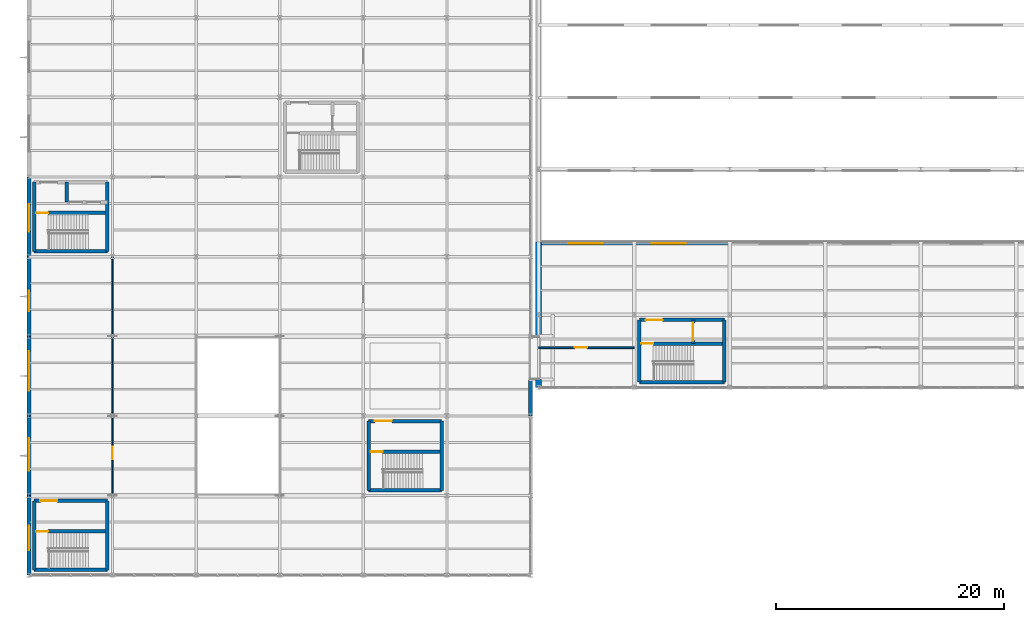
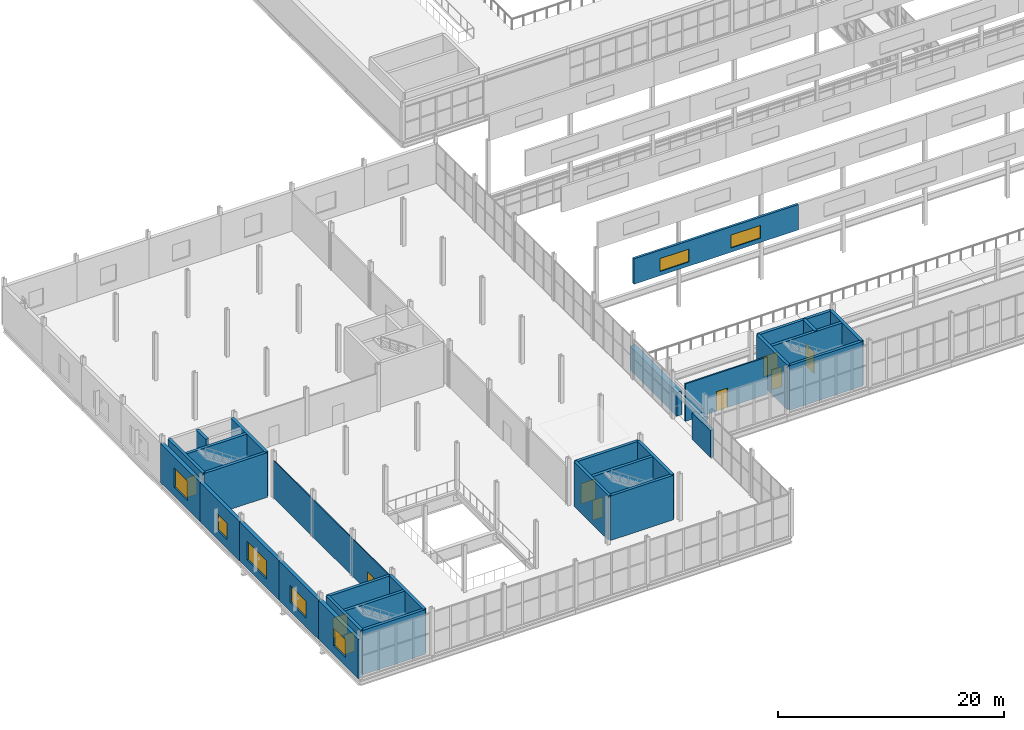
# One storey, part 197 of 218: 32 walls, 10 doors, 7 windows, 17 openings.
"""IFC4 building model written with IfcOpenShell, lengths in metres."""

from ifc_helpers import new_model, si_unit, direction, frame, frame_2d, origin, place, context, subcontext, project, spatial, rectangle, extrude, material, layer, layer_set, type_object, element, fill, save


model = new_model("IFC4")

# Units and contexts
model_context = context("Model", 3, precision=1e-05, world=origin(), true_north=direction((0.0, 1.0)))
body_context = subcontext(model_context, "Body", "Model", "MODEL_VIEW")
ifc_project = project(units=[si_unit("LENGTHUNIT", "METRE"), si_unit("AREAUNIT", "SQUARE_METRE"), si_unit("VOLUMEUNIT", "CUBIC_METRE"), si_unit("PLANEANGLEUNIT", "RADIAN"), si_unit("MASSUNIT", "GRAM", prefix="KILO")], contexts=[model_context])

# Site, building, storey
site_placement = place(None, origin())
site = spatial("IfcSite", under=ifc_project, at=site_placement, CompositionType="ELEMENT")
building_placement = place(site_placement, origin())
building = spatial("IfcBuilding", under=site, at=building_placement, Name="Kazenagashi Tramway Depot", CompositionType="ELEMENT")
storey_placement = place(building_placement, frame((0.0, 0.0, 6.0)))
storey = spatial("IfcBuildingStorey", under=building, at=storey_placement, Name="L02", CompositionType="ELEMENT", Elevation=6.0)

# Wall, opening, window
ifc_material_1 = material(Name="Clay Brick Masonry JIS R 1250 Class 1 (20 MPa)", Category="masonry")
ifc_layer_1 = layer(ifc_material_1, 0.36)
ifc_layer_set_1 = layer_set([ifc_layer_1], Name="Clay Brick Masonry JIS R 1250 Class 1 (20 MPa)")
wall_type_1 = type_object("IfcWallType", Name="W-BK2", PredefinedType="SOLIDWALL", material=ifc_layer_set_1)
wall_1_placement = place(storey_placement, frame((0.0, 0.0, 0.0), z_axis=(0.0, 0.0, 1.0), x_axis=(0.0, 1.0, 0.0)))
wall_1 = element("IfcWall", 1, at=wall_1_placement, inside=storey, type_object=wall_type_1, Name="Exterior Brick Wall W-BK2 EWALL-0200", PredefinedType="SOLIDWALL", context=body_context, shape_type="SweptSolid", body=[
    extrude(rectangle(XDim=7.0, YDim=0.36, at=frame_2d((3.5, 0.0))), origin(), (0.0, 0.0, 1.0), 4.25),
])
opening_1_placement = place(wall_1_placement, frame((2.2, 0.0, 0.95)))
opening_1 = element("IfcOpeningElement", 2, at=opening_1_placement, cuts=wall_1, Name="Opening WN-39", PredefinedType="OPENING", context=body_context, shape_type="SweptSolid", body=[
    extrude(rectangle(XDim=2.15, YDim=1.9, at=frame_2d((1.075, 0.95))), frame((0.0, 0.19, 0.0), z_axis=(0.0, -1.0, 0.0), x_axis=(1.0, 0.0, 0.0)), (0.0, 0.0, 1.0), 0.38),
])
ifc_material_2 = material(Name="Anodised Aluminium and Tempered Low-E Glass", Category="aluminium")
window_type_1 = type_object("IfcWindowType", Name="WN-39", PartitioningType="SINGLE_PANEL", PredefinedType="WINDOW", material=ifc_material_2)
window_1_placement = place(opening_1_placement, origin())
window_1 = element("IfcWindow", 3, at=window_1_placement, inside=storey, type_object=window_type_1, Name="Window WN-39 WIN-0183", OverallHeight=1.9, OverallWidth=2.15, PartitioningType="SINGLE_PANEL", PredefinedType="WINDOW", context=body_context, shape_type="SweptSolid", body=[
    extrude(rectangle(XDim=2.15, YDim=1.9, at=frame_2d((1.075, 0.95))), frame((0.0, 0.03, 0.0), z_axis=(0.0, -1.0, 0.0), x_axis=(1.0, 0.0, 0.0)), (0.0, 0.0, 1.0), 0.06),
])
fill(opening_1, window_1)

wall_2_placement = place(storey_placement, frame((0.0, 7.0, 0.0), z_axis=(0.0, 0.0, 1.0), x_axis=(0.0, 1.0, 0.0)))
wall_2 = element("IfcWall", 4, at=wall_2_placement, inside=storey, type_object=wall_type_1, Name="Exterior Brick Wall W-BK2 EWALL-0205", PredefinedType="SOLIDWALL", context=body_context, shape_type="SweptSolid", body=[
    extrude(rectangle(XDim=7.0, YDim=0.36, at=frame_2d((3.5, 0.0))), origin(), (0.0, 0.0, 1.0), 4.25),
])
opening_2_placement = place(wall_2_placement, frame((2.2, 0.0, 0.95)))
opening_2 = element("IfcOpeningElement", 5, at=opening_2_placement, cuts=wall_2, Name="Opening WN-44", PredefinedType="OPENING", context=body_context, shape_type="SweptSolid", body=[
    extrude(rectangle(XDim=2.85, YDim=1.85, at=frame_2d((1.425, 0.925))), frame((0.0, 0.19, 0.0), z_axis=(0.0, -1.0, 0.0), x_axis=(1.0, 0.0, 0.0)), (0.0, 0.0, 1.0), 0.38),
])
window_type_2 = type_object("IfcWindowType", Name="WN-44", PartitioningType="SINGLE_PANEL", PredefinedType="WINDOW", material=ifc_material_2)
window_2_placement = place(opening_2_placement, origin())
window_2 = element("IfcWindow", 6, at=window_2_placement, inside=storey, type_object=window_type_2, Name="Window WN-44 WIN-0188", OverallHeight=1.85, OverallWidth=2.85, PartitioningType="SINGLE_PANEL", PredefinedType="WINDOW", context=body_context, shape_type="SweptSolid", body=[
    extrude(rectangle(XDim=2.85, YDim=1.85, at=frame_2d((1.425, 0.925))), frame((0.0, 0.03, 0.0), z_axis=(0.0, -1.0, 0.0), x_axis=(1.0, 0.0, 0.0)), (0.0, 0.0, 1.0), 0.06),
])
fill(opening_2, window_2)

wall_3_placement = place(storey_placement, frame((0.0, 14.0, 0.0), z_axis=(0.0, 0.0, 1.0), x_axis=(0.0, 1.0, 0.0)))
wall_3 = element("IfcWall", 7, at=wall_3_placement, inside=storey, type_object=wall_type_1, Name="Exterior Brick Wall W-BK2 EWALL-0210", PredefinedType="SOLIDWALL", context=body_context, shape_type="SweptSolid", body=[
    extrude(rectangle(XDim=7.0, YDim=0.36, at=frame_2d((3.5, 0.0))), origin(), (0.0, 0.0, 1.0), 4.25),
])
opening_3_placement = place(wall_3_placement, frame((2.2, 0.0, 0.95)))
opening_3 = element("IfcOpeningElement", 8, at=opening_3_placement, cuts=wall_3, Name="Opening WN-48", PredefinedType="OPENING", context=body_context, shape_type="SweptSolid", body=[
    extrude(rectangle(XDim=3.5, YDim=2.0, at=frame_2d((1.75, 1.0))), frame((0.0, 0.19, 0.0), z_axis=(0.0, -1.0, 0.0), x_axis=(1.0, 0.0, 0.0)), (0.0, 0.0, 1.0), 0.38),
])
window_type_3 = type_object("IfcWindowType", Name="WN-48", PartitioningType="SINGLE_PANEL", PredefinedType="WINDOW", material=ifc_material_2)
window_3_placement = place(opening_3_placement, origin())
window_3 = element("IfcWindow", 9, at=window_3_placement, inside=storey, type_object=window_type_3, Name="Window WN-48 WIN-0192", OverallHeight=2.0, OverallWidth=3.5, PartitioningType="SINGLE_PANEL", PredefinedType="WINDOW", context=body_context, shape_type="SweptSolid", body=[
    extrude(rectangle(XDim=3.5, YDim=2.0, at=frame_2d((1.75, 1.0))), frame((0.0, 0.03, 0.0), z_axis=(0.0, -1.0, 0.0), x_axis=(1.0, 0.0, 0.0)), (0.0, 0.0, 1.0), 0.06),
])
fill(opening_3, window_3)

wall_4_placement = place(storey_placement, frame((0.0, 21.0, 0.0), z_axis=(0.0, 0.0, 1.0), x_axis=(0.0, 1.0, 0.0)))
wall_4 = element("IfcWall", 10, at=wall_4_placement, inside=storey, type_object=wall_type_1, Name="Exterior Brick Wall W-BK2 EWALL-0215", PredefinedType="SOLIDWALL", context=body_context, shape_type="SweptSolid", body=[
    extrude(rectangle(XDim=7.0, YDim=0.36, at=frame_2d((3.5, 0.0))), origin(), (0.0, 0.0, 1.0), 4.25),
])
opening_4_placement = place(wall_4_placement, frame((2.2, 0.0, 0.95)))
opening_4 = element("IfcOpeningElement", 11, at=opening_4_placement, cuts=wall_4, Name="Opening WN-05", PredefinedType="OPENING", context=body_context, shape_type="SweptSolid", body=[
    extrude(rectangle(XDim=1.8, YDim=1.8, at=frame_2d((0.9, 0.9))), frame((0.0, 0.19, 0.0), z_axis=(0.0, -1.0, 0.0), x_axis=(1.0, 0.0, 0.0)), (0.0, 0.0, 1.0), 0.38),
])
window_type_4 = type_object("IfcWindowType", Name="WN-05", PartitioningType="SINGLE_PANEL", PredefinedType="WINDOW", material=ifc_material_2)
window_4_placement = place(opening_4_placement, origin())
window_4 = element("IfcWindow", 12, at=window_4_placement, inside=storey, type_object=window_type_4, Name="Window WN-05 WIN-0197", OverallHeight=1.8, OverallWidth=1.8, PartitioningType="SINGLE_PANEL", PredefinedType="WINDOW", context=body_context, shape_type="SweptSolid", body=[
    extrude(rectangle(XDim=1.8, YDim=1.8, at=frame_2d((0.9, 0.9))), frame((0.0, 0.03, 0.0), z_axis=(0.0, -1.0, 0.0), x_axis=(1.0, 0.0, 0.0)), (0.0, 0.0, 1.0), 0.06),
])
fill(opening_4, window_4)

wall_5_placement = place(storey_placement, frame((0.0, 28.0, 0.0), z_axis=(0.0, 0.0, 1.0), x_axis=(0.0, 1.0, 0.0)))
wall_5 = element("IfcWall", 13, at=wall_5_placement, inside=storey, type_object=wall_type_1, Name="Exterior Brick Wall W-BK2 EWALL-0220", PredefinedType="SOLIDWALL", context=body_context, shape_type="SweptSolid", body=[
    extrude(rectangle(XDim=7.0, YDim=0.36, at=frame_2d((3.5, 0.0))), origin(), (0.0, 0.0, 1.0), 4.25),
])
opening_5_placement = place(wall_5_placement, frame((2.2, 0.0, 0.95)))
opening_5 = element("IfcOpeningElement", 14, at=opening_5_placement, cuts=wall_5, Name="Opening WN-10", PredefinedType="OPENING", context=body_context, shape_type="SweptSolid", body=[
    extrude(rectangle(XDim=2.4, YDim=2.1, at=frame_2d((1.2, 1.05))), frame((0.0, 0.19, 0.0), z_axis=(0.0, -1.0, 0.0), x_axis=(1.0, 0.0, 0.0)), (0.0, 0.0, 1.0), 0.38),
])
window_type_5 = type_object("IfcWindowType", Name="WN-10", PartitioningType="SINGLE_PANEL", PredefinedType="WINDOW", material=ifc_material_2)
window_5_placement = place(opening_5_placement, origin())
window_5 = element("IfcWindow", 15, at=window_5_placement, inside=storey, type_object=window_type_5, Name="Window WN-10 WIN-0202", OverallHeight=2.1, OverallWidth=2.4, PartitioningType="SINGLE_PANEL", PredefinedType="WINDOW", context=body_context, shape_type="SweptSolid", body=[
    extrude(rectangle(XDim=2.4, YDim=2.1, at=frame_2d((1.2, 1.05))), frame((0.0, 0.03, 0.0), z_axis=(0.0, -1.0, 0.0), x_axis=(1.0, 0.0, 0.0)), (0.0, 0.0, 1.0), 0.06),
])
fill(opening_5, window_5)

# Walls
wall_6_placement = place(storey_placement, frame((44.1, 14.0, 0.0), z_axis=(0.0, 0.0, 1.0), x_axis=(0.0, 1.0, 0.0)))
element("IfcWall", 16, at=wall_6_placement, inside=storey, type_object=wall_type_1, Name="Exterior Brick Wall W-BK2 EWALL-0317", PredefinedType="SOLIDWALL", context=body_context, shape_type="SweptSolid", body=[
    extrude(rectangle(XDim=3.2, YDim=0.36, at=frame_2d((1.6, 0.0))), origin(), (0.0, 0.0, 1.0), 2.9),
])
ifc_material_3 = material(Name="Clinker Brick Masonry JIS R 1250 Class 1 (24 MPa)", Category="masonry")
ifc_layer_2 = layer(ifc_material_3, 0.54)
ifc_layer_set_2 = layer_set([ifc_layer_2], Name="Clinker Brick Masonry JIS R 1250 Class 1 (24 MPa)")
wall_type_2 = type_object("IfcWallType", Name="W-BK4", PredefinedType="SOLIDWALL", material=ifc_layer_set_2)
wall_7_placement = place(storey_placement, frame((44.8, 16.5, 0.0), z_axis=(0.0, 0.0, 1.0), x_axis=(0.0, 1.0, 0.0)))
element("IfcWall", 17, at=wall_7_placement, inside=storey, type_object=wall_type_2, Name="Exterior Brick Wall W-BK4 EWALL-0070", PredefinedType="SOLIDWALL", context=body_context, shape_type="SweptSolid", body=[
    extrude(rectangle(XDim=0.7, YDim=0.54, at=frame_2d((0.35, 0.0))), origin(), (0.0, 0.0, 1.0), 2.58),
])
wall_8_placement = place(storey_placement, frame((44.8, 21.0, 0.0), z_axis=(0.0, 0.0, 1.0), x_axis=(0.0, 1.0, 0.0)))
element("IfcWall", 18, at=wall_8_placement, inside=storey, type_object=wall_type_2, Name="Exterior Brick Wall W-BK4 EWALL-0071", PredefinedType="SOLIDWALL", context=body_context, shape_type="SweptSolid", body=[
    extrude(rectangle(XDim=8.3, YDim=0.54, at=frame_2d((4.15, 0.0))), origin(), (0.0, 0.0, 1.0), 2.58),
])

# Wall, openings, windows
ifc_material_4 = material(Name="Galvanised Steel Sheet Insulated Monitor Wall", Category="steel")
ifc_layer_3 = layer(ifc_material_4, 0.24)
ifc_layer_set_3 = layer_set([ifc_layer_3], Name="Galvanised Steel Sheet Insulated Monitor Wall")
wall_type_3 = type_object("IfcWallType", Name="W-MN1", PredefinedType="SOLIDWALL", material=ifc_layer_set_3)
wall_9_placement = place(storey_placement, frame((44.8, 29.16, 9.3), z_axis=(0.0, 0.0, 1.0), x_axis=(1.0, 0.0, 0.0)))
wall_9 = element("IfcWall", 19, at=wall_9_placement, inside=storey, type_object=wall_type_3, Name="Exterior Brick Wall W-MN1 EWALL-0125", PredefinedType="SOLIDWALL", context=body_context, shape_type="SweptSolid", body=[
    extrude(rectangle(XDim=16.8, YDim=0.24, at=frame_2d((8.4, 0.0))), origin(), (0.0, 0.0, 1.0), 2.75),
])
opening_6_placement = place(wall_9_placement, frame((2.64, 0.0, 0.45)))
opening_6 = element("IfcOpeningElement", 20, at=opening_6_placement, cuts=wall_9, Name="Opening SK-01", PredefinedType="OPENING", context=body_context, shape_type="SweptSolid", body=[
    extrude(rectangle(XDim=3.0, YDim=1.4, at=frame_2d((1.5, 0.7))), frame((0.0, 0.13, 0.0), z_axis=(0.0, -1.0, 0.0), x_axis=(1.0, 0.0, 0.0)), (0.0, 0.0, 1.0), 0.26),
])
opening_7_placement = place(wall_9_placement, frame((9.94, 0.0, 0.45)))
opening_7 = element("IfcOpeningElement", 21, at=opening_7_placement, cuts=wall_9, Name="Opening SK-01", PredefinedType="OPENING", context=body_context, shape_type="SweptSolid", body=[
    extrude(rectangle(XDim=3.0, YDim=1.4, at=frame_2d((1.5, 0.7))), frame((0.0, 0.13, 0.0), z_axis=(0.0, -1.0, 0.0), x_axis=(1.0, 0.0, 0.0)), (0.0, 0.0, 1.0), 0.26),
])
ifc_material_5 = material(Name="Wired Fire-Rated Glass and Aluminium Frame", Category="aluminium")
window_type_6 = type_object("IfcWindowType", Name="SK-01", PartitioningType="SINGLE_PANEL", PredefinedType="SKYLIGHT", material=ifc_material_5)
window_6_placement = place(opening_6_placement, origin())
window_6 = element("IfcWindow", 22, at=window_6_placement, inside=storey, type_object=window_type_6, Name="Window SK-01 WIN-0094", OverallHeight=1.4, OverallWidth=3.0, PartitioningType="SINGLE_PANEL", PredefinedType="SKYLIGHT", context=body_context, shape_type="SweptSolid", body=[
    extrude(rectangle(XDim=3.0, YDim=1.4, at=frame_2d((1.5, 0.7))), frame((0.0, 0.03, 0.0), z_axis=(0.0, -1.0, 0.0), x_axis=(1.0, 0.0, 0.0)), (0.0, 0.0, 1.0), 0.06),
])
fill(opening_6, window_6)
window_7_placement = place(opening_7_placement, origin())
window_7 = element("IfcWindow", 23, at=window_7_placement, inside=storey, type_object=window_type_6, Name="Window SK-01 WIN-0095", OverallHeight=1.4, OverallWidth=3.0, PartitioningType="SINGLE_PANEL", PredefinedType="SKYLIGHT", context=body_context, shape_type="SweptSolid", body=[
    extrude(rectangle(XDim=3.0, YDim=1.4, at=frame_2d((1.5, 0.7))), frame((0.0, 0.03, 0.0), z_axis=(0.0, -1.0, 0.0), x_axis=(1.0, 0.0, 0.0)), (0.0, 0.0, 1.0), 0.06),
])
fill(opening_7, window_7)

# Wall, opening, door
ifc_material_6 = material(Name="Gypsum Plasterboard Partition", Category="gypsum")
ifc_layer_4 = layer(ifc_material_6, 0.15)
ifc_layer_set_4 = layer_set([ifc_layer_4], Name="Gypsum Plasterboard Partition")
wall_type_4 = type_object("IfcWallType", Name="W-PT1", PredefinedType="PARTITIONING", material=ifc_layer_set_4)
wall_10_placement = place(storey_placement, frame((44.8, 20.0, 0.0), z_axis=(0.0, 0.0, 1.0), x_axis=(1.0, 0.0, 0.0)))
wall_10 = element("IfcWall", 24, at=wall_10_placement, inside=storey, type_object=wall_type_4, Name="Interior Partition W-PT1 IWALL-0262", PredefinedType="PARTITIONING", context=body_context, shape_type="SweptSolid", body=[
    extrude(rectangle(XDim=8.4, YDim=0.15, at=frame_2d((4.2, 0.0))), origin(), (0.0, 0.0, 1.0), 4.05),
])
opening_8_placement = place(wall_10_placement, frame((3.2, 0.0, 0.0)))
opening_8 = element("IfcOpeningElement", 25, at=opening_8_placement, cuts=wall_10, Name="Opening D-166", PredefinedType="OPENING", context=body_context, shape_type="SweptSolid", body=[
    extrude(rectangle(XDim=1.1, YDim=2.1, at=frame_2d((0.55, 1.05))), frame((0.0, 0.085, 0.0), z_axis=(0.0, -1.0, 0.0), x_axis=(1.0, 0.0, 0.0)), (0.0, 0.0, 1.0), 0.17),
])
ifc_material_7 = material(Name="Powder-Coated Steel Door", Category="steel")
door_type_1 = type_object("IfcDoorType", Name="DT-12", OperationType="NOTDEFINED", PredefinedType="DOOR", material=ifc_material_7)
door_1_placement = place(opening_8_placement, origin())
door_1 = element("IfcDoor", 26, at=door_1_placement, inside=storey, type_object=door_type_1, Name="Interior Door D-166", OperationType="SINGLE_SWING_LEFT", OverallHeight=2.1, OverallWidth=1.1, PredefinedType="DOOR", context=body_context, shape_type="SweptSolid", body=[
    extrude(rectangle(XDim=1.1, YDim=2.1, at=frame_2d((0.55, 1.05))), frame((0.0, 0.025, 0.0), z_axis=(0.0, -1.0, 0.0), x_axis=(1.0, 0.0, 0.0)), (0.0, 0.0, 1.0), 0.05),
])
fill(opening_8, door_1)

ifc_layer_5 = layer(ifc_material_6, 0.1)
ifc_layer_set_5 = layer_set([ifc_layer_5], Name="Gypsum Plasterboard Partition")
wall_type_5 = type_object("IfcWallType", Name="W-PT3", PredefinedType="PARTITIONING", material=ifc_layer_set_5)
wall_11_placement = place(storey_placement, frame((7.35, 7.0, 0.0), z_axis=(0.0, 0.0, 1.0), x_axis=(0.0, 1.0, 0.0)))
wall_11 = element("IfcWall", 27, at=wall_11_placement, inside=storey, type_object=wall_type_5, Name="Interior Partition W-PT3 IWALL-0272", PredefinedType="PARTITIONING", context=body_context, shape_type="SweptSolid", body=[
    extrude(rectangle(XDim=21.0, YDim=0.1, at=frame_2d((10.5, 0.0))), origin(), (0.0, 0.0, 1.0), 4.05),
])
opening_9_placement = place(wall_11_placement, frame((3.2, 0.0, 0.0)))
opening_9 = element("IfcOpeningElement", 28, at=opening_9_placement, cuts=wall_11, Name="Opening D-179", PredefinedType="OPENING", context=body_context, shape_type="SweptSolid", body=[
    extrude(rectangle(XDim=1.1, YDim=2.1, at=frame_2d((0.55, 1.05))), frame((0.0, 0.06, 0.0), z_axis=(0.0, -1.0, 0.0), x_axis=(1.0, 0.0, 0.0)), (0.0, 0.0, 1.0), 0.12),
])
door_2_placement = place(opening_9_placement, origin())
door_2 = element("IfcDoor", 29, at=door_2_placement, inside=storey, type_object=door_type_1, Name="Interior Door D-179", OperationType="SINGLE_SWING_RIGHT", OverallHeight=2.1, OverallWidth=1.1, PredefinedType="DOOR", context=body_context, shape_type="SweptSolid", body=[
    extrude(rectangle(XDim=1.1, YDim=2.1, at=frame_2d((0.55, 1.05))), frame((0.0, 0.025, 0.0), z_axis=(0.0, -1.0, 0.0), x_axis=(1.0, 0.0, 0.0)), (0.0, 0.0, 1.0), 0.05),
])
fill(opening_9, door_2)

# Walls
ifc_material_8 = material(Name="Concrete Fc36", Category="concrete")
ifc_layer_6 = layer(ifc_material_8, 0.3)
ifc_layer_set_6 = layer_set([ifc_layer_6], Name="Concrete Fc36")
wall_type_6 = type_object("IfcWallType", Name="W-RC1", PredefinedType="SHEAR", material=ifc_layer_set_6)
wall_12_placement = place(storey_placement, frame((0.46, 28.46, 0.0), z_axis=(0.0, 0.0, 1.0), x_axis=(1.0, 0.0, 0.0)))
element("IfcWall", 30, at=wall_12_placement, inside=storey, type_object=wall_type_6, Name="Core Shear Wall W-RC1 IWALL-0020", PredefinedType="SHEAR", context=body_context, shape_type="SweptSolid", body=[
    extrude(rectangle(XDim=6.43, YDim=0.3, at=frame_2d((3.215, 0.0))), origin(), (0.0, 0.0, 1.0), 4.82),
])
for number, where, z_axis, x_axis, name in (
    (31, (0.46, 28.46, 0.0), (0.0, 0.0, 1.0), (0.0, 1.0, 0.0), "Core Shear Wall W-RC1 IWALL-0022"),
    (32, (6.89, 28.46, 0.0), (0.0, 0.0, 1.0), (0.0, 1.0, 0.0), "Core Shear Wall W-RC1 IWALL-0023"),
):
    element("IfcWall", number, at=place(storey_placement, frame(where, z_axis=z_axis, x_axis=x_axis)), inside=storey, type_object=wall_type_6, Name=name, PredefinedType="SHEAR", context=body_context, shape_type="SweptSolid", body=[
        extrude(rectangle(XDim=6.08, YDim=0.3, at=frame_2d((3.04, 0.0))), origin(), (0.0, 0.0, 1.0), 4.82),
    ])

# Wall, opening, door
wall_13_placement = place(storey_placement, frame((0.46, 31.85, 0.0), z_axis=(0.0, 0.0, 1.0), x_axis=(1.0, 0.0, 0.0)))
wall_13 = element("IfcWall", 33, at=wall_13_placement, inside=storey, type_object=wall_type_6, Name="Core Shear Wall W-RC1 IWALL-0024", PredefinedType="SHEAR", context=body_context, shape_type="SweptSolid", body=[
    extrude(rectangle(XDim=6.43, YDim=0.3, at=frame_2d((3.215, 0.0))), origin(), (0.0, 0.0, 1.0), 4.82),
])
opening_10_placement = place(wall_13_placement, frame((0.185, 0.0, 0.0)))
opening_10 = element("IfcOpeningElement", 34, at=opening_10_placement, cuts=wall_13, Name="Opening D-053", PredefinedType="OPENING", context=body_context, shape_type="SweptSolid", body=[
    extrude(rectangle(XDim=1.05, YDim=2.15, at=frame_2d((0.525, 1.075))), frame((0.0, 0.16, 0.0), z_axis=(0.0, -1.0, 0.0), x_axis=(1.0, 0.0, 0.0)), (0.0, 0.0, 1.0), 0.32),
])
ifc_material_9 = material(Name="Galvanised Fire-Rated Steel Door", Category="steel")
door_type_2 = type_object("IfcDoorType", Name="DT-07", OperationType="NOTDEFINED", PredefinedType="DOOR", material=ifc_material_9)
door_3_placement = place(opening_10_placement, origin())
door_3 = element("IfcDoor", 35, at=door_3_placement, inside=storey, type_object=door_type_2, Name="Interior Door D-053", OperationType="SINGLE_SWING_RIGHT", OverallHeight=2.15, OverallWidth=1.05, PredefinedType="DOOR", context=body_context, shape_type="SweptSolid", body=[
    extrude(rectangle(XDim=1.05, YDim=2.15, at=frame_2d((0.525, 1.075))), frame((0.0, 0.025, 0.0), z_axis=(0.0, -1.0, 0.0), x_axis=(1.0, 0.0, 0.0)), (0.0, 0.0, 1.0), 0.05),
])
fill(opening_10, door_3)

# Walls
wall_14_placement = place(storey_placement, frame((3.34, 32.79, 0.0), z_axis=(0.0, 0.0, 1.0), x_axis=(0.0, 1.0, 0.0)))
element("IfcWall", 36, at=wall_14_placement, inside=storey, type_object=wall_type_6, Name="Core Shear Wall W-RC1 IWALL-0025", PredefinedType="SHEAR", context=body_context, shape_type="SweptSolid", body=[
    extrude(rectangle(XDim=1.75, YDim=0.3, at=frame_2d((0.875, 0.0))), origin(), (0.0, 0.0, 1.0), 4.82),
])
wall_15_placement = place(storey_placement, frame((29.86, 7.46, 0.0), z_axis=(0.0, 0.0, 1.0), x_axis=(1.0, 0.0, 0.0)))
element("IfcWall", 37, at=wall_15_placement, inside=storey, type_object=wall_type_6, Name="Core Shear Wall W-RC1 IWALL-0083", PredefinedType="SHEAR", context=body_context, shape_type="SweptSolid", body=[
    extrude(rectangle(XDim=6.43, YDim=0.3, at=frame_2d((3.215, 0.0))), origin(), (0.0, 0.0, 1.0), 4.82),
])

# Wall, opening, door
wall_16_placement = place(storey_placement, frame((29.86, 13.54, 0.0), z_axis=(0.0, 0.0, 1.0), x_axis=(1.0, 0.0, 0.0)))
wall_16 = element("IfcWall", 38, at=wall_16_placement, inside=storey, type_object=wall_type_6, Name="Core Shear Wall W-RC1 IWALL-0084", PredefinedType="SHEAR", context=body_context, shape_type="SweptSolid", body=[
    extrude(rectangle(XDim=6.43, YDim=0.3, at=frame_2d((3.215, 0.0))), origin(), (0.0, 0.0, 1.0), 4.82),
])
opening_11_placement = place(wall_16_placement, frame((0.55, 0.0, 0.0)))
opening_11 = element("IfcOpeningElement", 39, at=opening_11_placement, cuts=wall_16, Name="Opening D-074", PredefinedType="OPENING", context=body_context, shape_type="SweptSolid", body=[
    extrude(rectangle(XDim=1.5, YDim=2.2, at=frame_2d((0.75, 1.1))), frame((0.0, 0.16, 0.0), z_axis=(0.0, -1.0, 0.0), x_axis=(1.0, 0.0, 0.0)), (0.0, 0.0, 1.0), 0.32),
])
door_type_3 = type_object("IfcDoorType", Name="DT-05", OperationType="NOTDEFINED", PredefinedType="DOOR", material=ifc_material_9)
door_4_placement = place(opening_11_placement, origin())
door_4 = element("IfcDoor", 40, at=door_4_placement, inside=storey, type_object=door_type_3, Name="Interior Door D-074", OperationType="DOUBLE_DOOR_SINGLE_SWING", OverallHeight=2.2, OverallWidth=1.5, PredefinedType="DOOR", context=body_context, shape_type="SweptSolid", body=[
    extrude(rectangle(XDim=1.5, YDim=2.2, at=frame_2d((0.75, 1.1))), frame((0.0, 0.025, 0.0), z_axis=(0.0, -1.0, 0.0), x_axis=(1.0, 0.0, 0.0)), (0.0, 0.0, 1.0), 0.05),
])
fill(opening_11, door_4)

# Walls
for number, where, z_axis, x_axis, name in (
    (41, (29.86, 7.46, 0.0), (0.0, 0.0, 1.0), (0.0, 1.0, 0.0), "Core Shear Wall W-RC1 IWALL-0085"),
    (42, (36.29, 7.46, 0.0), (0.0, 0.0, 1.0), (0.0, 1.0, 0.0), "Core Shear Wall W-RC1 IWALL-0086"),
):
    element("IfcWall", number, at=place(storey_placement, frame(where, z_axis=z_axis, x_axis=x_axis)), inside=storey, type_object=wall_type_6, Name=name, PredefinedType="SHEAR", context=body_context, shape_type="SweptSolid", body=[
        extrude(rectangle(XDim=6.08, YDim=0.3, at=frame_2d((3.04, 0.0))), origin(), (0.0, 0.0, 1.0), 4.82),
    ])

# Wall, opening, door
wall_17_placement = place(storey_placement, frame((29.86, 10.85, 0.0), z_axis=(0.0, 0.0, 1.0), x_axis=(1.0, 0.0, 0.0)))
wall_17 = element("IfcWall", 43, at=wall_17_placement, inside=storey, type_object=wall_type_6, Name="Core Shear Wall W-RC1 IWALL-0087", PredefinedType="SHEAR", context=body_context, shape_type="SweptSolid", body=[
    extrude(rectangle(XDim=6.43, YDim=0.3, at=frame_2d((3.215, 0.0))), origin(), (0.0, 0.0, 1.0), 4.82),
])
opening_12_placement = place(wall_17_placement, frame((0.185, 0.0, 0.0)))
opening_12 = element("IfcOpeningElement", 44, at=opening_12_placement, cuts=wall_17, Name="Opening D-073", PredefinedType="OPENING", context=body_context, shape_type="SweptSolid", body=[
    extrude(rectangle(XDim=1.05, YDim=2.15, at=frame_2d((0.525, 1.075))), frame((0.0, 0.16, 0.0), z_axis=(0.0, -1.0, 0.0), x_axis=(1.0, 0.0, 0.0)), (0.0, 0.0, 1.0), 0.32),
])
door_5_placement = place(opening_12_placement, origin())
door_5 = element("IfcDoor", 45, at=door_5_placement, inside=storey, type_object=door_type_2, Name="Interior Door D-073", OperationType="SINGLE_SWING_RIGHT", OverallHeight=2.15, OverallWidth=1.05, PredefinedType="DOOR", context=body_context, shape_type="SweptSolid", body=[
    extrude(rectangle(XDim=1.05, YDim=2.15, at=frame_2d((0.525, 1.075))), frame((0.0, 0.025, 0.0), z_axis=(0.0, -1.0, 0.0), x_axis=(1.0, 0.0, 0.0)), (0.0, 0.0, 1.0), 0.05),
])
fill(opening_12, door_5)

# Wall
wall_18_placement = place(storey_placement, frame((0.46, 0.46, 0.0), z_axis=(0.0, 0.0, 1.0), x_axis=(1.0, 0.0, 0.0)))
element("IfcWall", 46, at=wall_18_placement, inside=storey, type_object=wall_type_6, Name="Core Shear Wall W-RC1 IWALL-0103", PredefinedType="SHEAR", context=body_context, shape_type="SweptSolid", body=[
    extrude(rectangle(XDim=6.43, YDim=0.3, at=frame_2d((3.215, 0.0))), origin(), (0.0, 0.0, 1.0), 4.82),
])

# Wall, opening, door
wall_19_placement = place(storey_placement, frame((0.46, 6.54, 0.0), z_axis=(0.0, 0.0, 1.0), x_axis=(1.0, 0.0, 0.0)))
wall_19 = element("IfcWall", 47, at=wall_19_placement, inside=storey, type_object=wall_type_6, Name="Core Shear Wall W-RC1 IWALL-0104", PredefinedType="SHEAR", context=body_context, shape_type="SweptSolid", body=[
    extrude(rectangle(XDim=6.43, YDim=0.3, at=frame_2d((3.215, 0.0))), origin(), (0.0, 0.0, 1.0), 4.82),
])
opening_13_placement = place(wall_19_placement, frame((0.55, 0.0, 0.0)))
opening_13 = element("IfcOpeningElement", 48, at=opening_13_placement, cuts=wall_19, Name="Opening D-082", PredefinedType="OPENING", context=body_context, shape_type="SweptSolid", body=[
    extrude(rectangle(XDim=1.5, YDim=2.2, at=frame_2d((0.75, 1.1))), frame((0.0, 0.16, 0.0), z_axis=(0.0, -1.0, 0.0), x_axis=(1.0, 0.0, 0.0)), (0.0, 0.0, 1.0), 0.32),
])
door_6_placement = place(opening_13_placement, origin())
door_6 = element("IfcDoor", 49, at=door_6_placement, inside=storey, type_object=door_type_3, Name="Interior Door D-082", OperationType="DOUBLE_DOOR_SINGLE_SWING", OverallHeight=2.2, OverallWidth=1.5, PredefinedType="DOOR", context=body_context, shape_type="SweptSolid", body=[
    extrude(rectangle(XDim=1.5, YDim=2.2, at=frame_2d((0.75, 1.1))), frame((0.0, 0.025, 0.0), z_axis=(0.0, -1.0, 0.0), x_axis=(1.0, 0.0, 0.0)), (0.0, 0.0, 1.0), 0.05),
])
fill(opening_13, door_6)

# Walls
for number, where, z_axis, x_axis, name in (
    (50, (0.46, 0.46, 0.0), (0.0, 0.0, 1.0), (0.0, 1.0, 0.0), "Core Shear Wall W-RC1 IWALL-0105"),
    (51, (6.89, 0.46, 0.0), (0.0, 0.0, 1.0), (0.0, 1.0, 0.0), "Core Shear Wall W-RC1 IWALL-0106"),
):
    element("IfcWall", number, at=place(storey_placement, frame(where, z_axis=z_axis, x_axis=x_axis)), inside=storey, type_object=wall_type_6, Name=name, PredefinedType="SHEAR", context=body_context, shape_type="SweptSolid", body=[
        extrude(rectangle(XDim=6.08, YDim=0.3, at=frame_2d((3.04, 0.0))), origin(), (0.0, 0.0, 1.0), 4.82),
    ])

# Wall, opening, door
wall_20_placement = place(storey_placement, frame((0.46, 3.85, 0.0), z_axis=(0.0, 0.0, 1.0), x_axis=(1.0, 0.0, 0.0)))
wall_20 = element("IfcWall", 52, at=wall_20_placement, inside=storey, type_object=wall_type_6, Name="Core Shear Wall W-RC1 IWALL-0107", PredefinedType="SHEAR", context=body_context, shape_type="SweptSolid", body=[
    extrude(rectangle(XDim=6.43, YDim=0.3, at=frame_2d((3.215, 0.0))), origin(), (0.0, 0.0, 1.0), 4.82),
])
opening_14_placement = place(wall_20_placement, frame((0.185, 0.0, 0.0)))
opening_14 = element("IfcOpeningElement", 53, at=opening_14_placement, cuts=wall_20, Name="Opening D-081", PredefinedType="OPENING", context=body_context, shape_type="SweptSolid", body=[
    extrude(rectangle(XDim=1.05, YDim=2.15, at=frame_2d((0.525, 1.075))), frame((0.0, 0.16, 0.0), z_axis=(0.0, -1.0, 0.0), x_axis=(1.0, 0.0, 0.0)), (0.0, 0.0, 1.0), 0.32),
])
door_7_placement = place(opening_14_placement, origin())
door_7 = element("IfcDoor", 54, at=door_7_placement, inside=storey, type_object=door_type_2, Name="Interior Door D-081", OperationType="SINGLE_SWING_RIGHT", OverallHeight=2.15, OverallWidth=1.05, PredefinedType="DOOR", context=body_context, shape_type="SweptSolid", body=[
    extrude(rectangle(XDim=1.05, YDim=2.15, at=frame_2d((0.525, 1.075))), frame((0.0, 0.025, 0.0), z_axis=(0.0, -1.0, 0.0), x_axis=(1.0, 0.0, 0.0)), (0.0, 0.0, 1.0), 0.05),
])
fill(opening_14, door_7)

# Wall
wall_21_placement = place(storey_placement, frame((53.66, 16.96, 0.0), z_axis=(0.0, 0.0, 1.0), x_axis=(1.0, 0.0, 0.0)))
element("IfcWall", 55, at=wall_21_placement, inside=storey, type_object=wall_type_6, Name="Core Shear Wall W-RC1 IWALL-0135", PredefinedType="SHEAR", context=body_context, shape_type="SweptSolid", body=[
    extrude(rectangle(XDim=7.48, YDim=0.3, at=frame_2d((3.74, 0.0))), origin(), (0.0, 0.0, 1.0), 4.82),
])

# Wall, opening, door
wall_22_placement = place(storey_placement, frame((53.66, 22.44, 0.0), z_axis=(0.0, 0.0, 1.0), x_axis=(1.0, 0.0, 0.0)))
wall_22 = element("IfcWall", 56, at=wall_22_placement, inside=storey, type_object=wall_type_6, Name="Core Shear Wall W-RC1 IWALL-0136", PredefinedType="SHEAR", context=body_context, shape_type="SweptSolid", body=[
    extrude(rectangle(XDim=7.48, YDim=0.3, at=frame_2d((3.74, 0.0))), origin(), (0.0, 0.0, 1.0), 4.82),
])
opening_15_placement = place(wall_22_placement, frame((0.55, 0.0, 0.0)))
opening_15 = element("IfcOpeningElement", 57, at=opening_15_placement, cuts=wall_22, Name="Opening D-095", PredefinedType="OPENING", context=body_context, shape_type="SweptSolid", body=[
    extrude(rectangle(XDim=1.5, YDim=2.2, at=frame_2d((0.75, 1.1))), frame((0.0, 0.16, 0.0), z_axis=(0.0, -1.0, 0.0), x_axis=(1.0, 0.0, 0.0)), (0.0, 0.0, 1.0), 0.32),
])
door_8_placement = place(opening_15_placement, origin())
door_8 = element("IfcDoor", 58, at=door_8_placement, inside=storey, type_object=door_type_3, Name="Interior Door D-095", OperationType="DOUBLE_DOOR_SINGLE_SWING", OverallHeight=2.2, OverallWidth=1.5, PredefinedType="DOOR", context=body_context, shape_type="SweptSolid", body=[
    extrude(rectangle(XDim=1.5, YDim=2.2, at=frame_2d((0.75, 1.1))), frame((0.0, 0.025, 0.0), z_axis=(0.0, -1.0, 0.0), x_axis=(1.0, 0.0, 0.0)), (0.0, 0.0, 1.0), 0.05),
])
fill(opening_15, door_8)

# Walls
for number, where, z_axis, x_axis, name in (
    (59, (53.66, 16.96, 0.0), (0.0, 0.0, 1.0), (0.0, 1.0, 0.0), "Core Shear Wall W-RC1 IWALL-0137"),
    (60, (61.14, 16.96, 0.0), (0.0, 0.0, 1.0), (0.0, 1.0, 0.0), "Core Shear Wall W-RC1 IWALL-0138"),
):
    element("IfcWall", number, at=place(storey_placement, frame(where, z_axis=z_axis, x_axis=x_axis)), inside=storey, type_object=wall_type_6, Name=name, PredefinedType="SHEAR", context=body_context, shape_type="SweptSolid", body=[
        extrude(rectangle(XDim=5.48, YDim=0.3, at=frame_2d((2.74, 0.0))), origin(), (0.0, 0.0, 1.0), 4.82),
    ])

# Wall, opening, door
wall_23_placement = place(storey_placement, frame((53.66, 20.35, 0.0), z_axis=(0.0, 0.0, 1.0), x_axis=(1.0, 0.0, 0.0)))
wall_23 = element("IfcWall", 61, at=wall_23_placement, inside=storey, type_object=wall_type_6, Name="Core Shear Wall W-RC1 IWALL-0139", PredefinedType="SHEAR", context=body_context, shape_type="SweptSolid", body=[
    extrude(rectangle(XDim=7.48, YDim=0.3, at=frame_2d((3.74, 0.0))), origin(), (0.0, 0.0, 1.0), 4.82),
])
opening_16_placement = place(wall_23_placement, frame((0.185, 0.0, 0.0)))
opening_16 = element("IfcOpeningElement", 62, at=opening_16_placement, cuts=wall_23, Name="Opening D-094", PredefinedType="OPENING", context=body_context, shape_type="SweptSolid", body=[
    extrude(rectangle(XDim=1.05, YDim=2.15, at=frame_2d((0.525, 1.075))), frame((0.0, 0.16, 0.0), z_axis=(0.0, -1.0, 0.0), x_axis=(1.0, 0.0, 0.0)), (0.0, 0.0, 1.0), 0.32),
])
door_9_placement = place(opening_16_placement, origin())
door_9 = element("IfcDoor", 63, at=door_9_placement, inside=storey, type_object=door_type_2, Name="Interior Door D-094", OperationType="SINGLE_SWING_LEFT", OverallHeight=2.15, OverallWidth=1.05, PredefinedType="DOOR", context=body_context, shape_type="SweptSolid", body=[
    extrude(rectangle(XDim=1.05, YDim=2.15, at=frame_2d((0.525, 1.075))), frame((0.0, 0.025, 0.0), z_axis=(0.0, -1.0, 0.0), x_axis=(1.0, 0.0, 0.0)), (0.0, 0.0, 1.0), 0.05),
])
fill(opening_16, door_9)

wall_24_placement = place(storey_placement, frame((58.39, 20.35, 0.0), z_axis=(0.0, 0.0, 1.0), x_axis=(0.0, 1.0, 0.0)))
wall_24 = element("IfcWall", 64, at=wall_24_placement, inside=storey, type_object=wall_type_6, Name="Core Shear Wall W-RC1 IWALL-0140", PredefinedType="SHEAR", context=body_context, shape_type="SweptSolid", body=[
    extrude(rectangle(XDim=2.09, YDim=0.3, at=frame_2d((1.045, 0.0))), origin(), (0.0, 0.0, 1.0), 4.82),
])
opening_17_placement = place(wall_24_placement, frame((0.27, 0.0, 0.0)))
opening_17 = element("IfcOpeningElement", 65, at=opening_17_placement, cuts=wall_24, Name="Opening LD-18", PredefinedType="OPENING", context=body_context, shape_type="SweptSolid", body=[
    extrude(rectangle(XDim=1.55, YDim=2.35, at=frame_2d((0.775, 1.175))), frame((0.0, 0.16, 0.0), z_axis=(0.0, -1.0, 0.0), x_axis=(1.0, 0.0, 0.0)), (0.0, 0.0, 1.0), 0.32),
])
ifc_material_10 = material(Name="Heavy-Duty Freight Lift Landing Door")
door_type_4 = type_object("IfcDoorType", Name="DT-31", OperationType="NOTDEFINED", PredefinedType="DOOR", material=ifc_material_10)
door_10_placement = place(opening_17_placement, origin())
door_10 = element("IfcDoor", 66, at=door_10_placement, inside=storey, type_object=door_type_4, Name="Lift Sliding Landing Door LD-18", OperationType="SLIDING_TO_RIGHT", OverallHeight=2.35, OverallWidth=1.55, PredefinedType="DOOR", context=body_context, shape_type="SweptSolid", body=[
    extrude(rectangle(XDim=1.55, YDim=2.35, at=frame_2d((0.775, 1.175))), frame((0.0, 0.025, 0.0), z_axis=(0.0, -1.0, 0.0), x_axis=(1.0, 0.0, 0.0)), (0.0, 0.0, 1.0), 0.05),
])
fill(opening_17, door_10)

save(model, "model.ifc")
